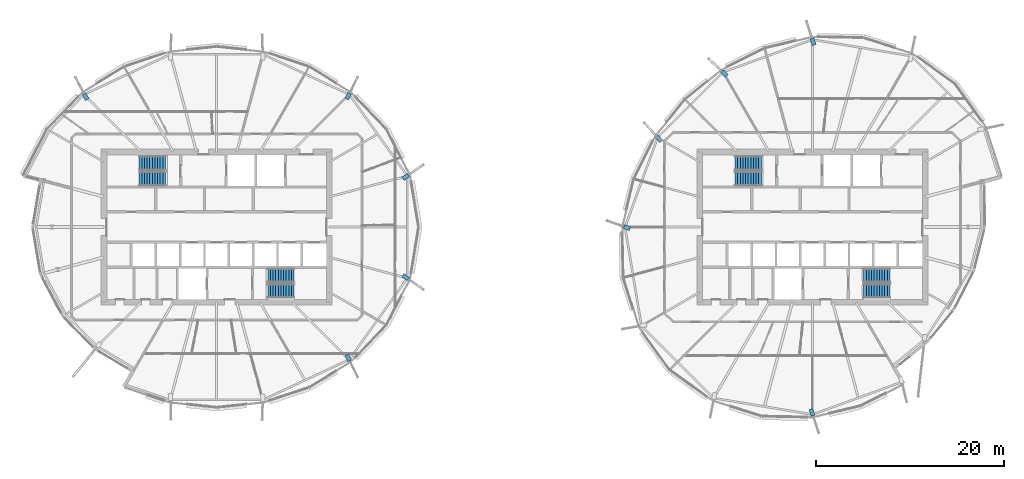
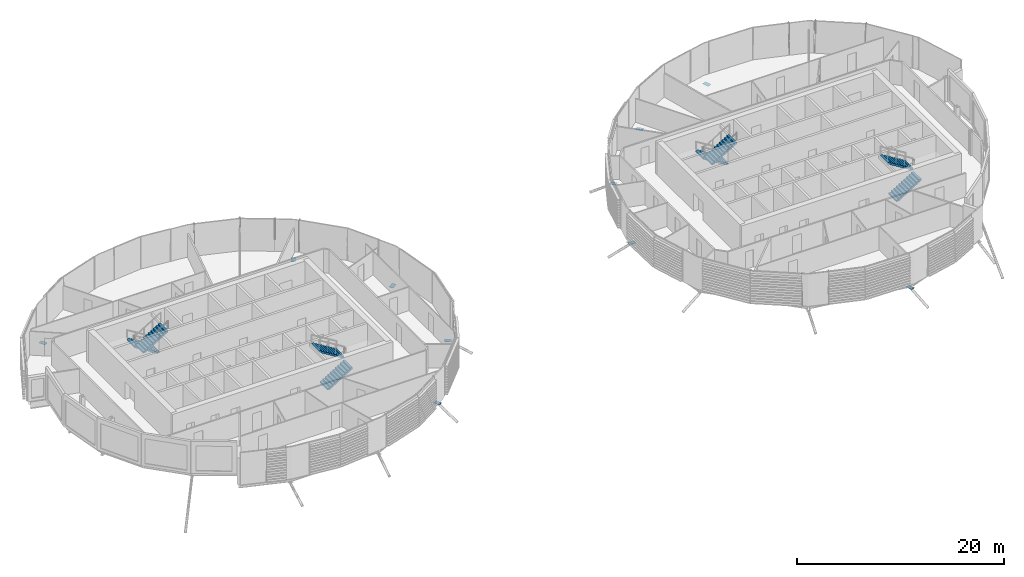
# One storey, part 24 of 35: 10 discrete accessories, 8 stair flights, 4 elements without a shape of their own.
"""IFC4 building model written with IfcOpenShell, lengths in metres."""

from ifc_helpers import new_model, si_unit, direction, frame, origin, origin_2d, place, context, subcontext, project, spatial, polyline, rectangle, outline, extrude, material, material_profile, profile_set, type_object, element, aggregate, save


model = new_model("IFC4")

# Units and contexts
model_context = context("Model", 3, precision=1e-05, world=origin(), true_north=direction((0.0, 1.0)))
body_context = subcontext(model_context, "Body", "Model", "MODEL_VIEW")
ifc_project = project(units=[si_unit("LENGTHUNIT", "METRE"), si_unit("AREAUNIT", "SQUARE_METRE"), si_unit("VOLUMEUNIT", "CUBIC_METRE"), si_unit("PLANEANGLEUNIT", "RADIAN"), si_unit("MASSUNIT", "GRAM", prefix="KILO")], contexts=[model_context])

# Site, building, storey
site_placement = place(None, origin())
site = spatial("IfcSite", under=ifc_project, at=site_placement, CompositionType="ELEMENT")
building_placement = place(site_placement, origin())
building = spatial("IfcBuilding", under=site, at=building_placement, Name="Rimbun Link Towers", CompositionType="ELEMENT")
storey_placement = place(building_placement, frame((0.0, 0.0, 196.89990234375)))
storey = spatial("IfcBuildingStorey", under=building, at=storey_placement, Name="L48", CompositionType="ELEMENT", Elevation=196.89990234375)

# Stair, stair flights
ifc_material_1 = material(Name="Concrete C40/50", Category="concrete")
stair_type = type_object("IfcStairType", Name="Exit stair 3800 rise", PredefinedType="HALF_TURN_STAIR", material=ifc_material_1)
stair_1_placement = place(storey_placement, origin())
stair_1 = element("IfcStair", 1, at=stair_1_placement, inside=storey, type_object=stair_type, Name="L48 EXIT STAIR A", PredefinedType="HALF_TURN_STAIR")
ifc_material_2 = material(Name="Concrete C40/50", Category="concrete")
stair_flight_type = type_object("IfcStairFlightType", Name="Exit stair flight 3800 rise", PredefinedType="STRAIGHT", material=ifc_material_2)
stair_flight_1_placement = place(storey_placement, frame((-37.199951171875, 6.800048828125, 0.0), z_axis=(0.0, 0.0, 1.0), x_axis=(-1.0, 0.0, 0.0)))
stair_flight_1 = element("IfcStairFlight", 2, at=stair_flight_1_placement, type_object=stair_flight_type, Name="ST1 flight 1", NumberOfRisers=11, NumberOfTreads=10, PredefinedType="STRAIGHT", RiserHeight=0.172727273, TreadLength=0.28, context=body_context, shape_type="SweptSolid", body=[
    extrude(outline(polyline([(0.0, 0.0), (0.0, 0.172607421875), (0.280029296875, 0.172607421875), (0.280029296875, 0.345458984375), (0.56005859375, 0.345458984375), (0.56005859375, 0.51806640625), (0.840087890625, 0.51806640625), (0.840087890625, 0.69091796875), (1.1201171875, 0.69091796875), (1.1201171875, 0.863525390625), (1.39990234375, 0.863525390625), (1.39990234375, 1.036376953125), (1.679931640625, 1.036376953125), (1.679931640625, 1.208984375), (1.9599609375, 1.208984375), (1.9599609375, 1.3818359375), (2.239990234375, 1.3818359375), (2.239990234375, 1.554443359375), (2.52001953125, 1.554443359375), (2.52001953125, 1.727294921875), (2.800048828125, 1.727294921875), (2.800048828125, 1.89990234375), (2.800048828125, 1.551025390625), (0.280029296875, 0.0), (0.0, 0.0)])), frame((0.0, 0.75, 0.0), z_axis=(0.0, -1.0, 0.0), x_axis=(1.0, 0.0, 0.0)), (0.0, 0.0, 1.0), 1.5),
])
stair_flight_2_placement = place(storey_placement, frame((-40.0, 5.14990234375, 1.900146484375), z_axis=(0.0, 0.0, 1.0), x_axis=(1.0, 0.0, 0.0)))
stair_flight_2 = element("IfcStairFlight", 3, at=stair_flight_2_placement, type_object=stair_flight_type, Name="ST1 flight 2", NumberOfRisers=11, NumberOfTreads=10, PredefinedType="STRAIGHT", RiserHeight=0.172727273, TreadLength=0.28, context=body_context, shape_type="SweptSolid", body=[
    extrude(outline(polyline([(0.0, 0.0), (0.0, 0.172607421875), (0.280029296875, 0.172607421875), (0.280029296875, 0.345458984375), (0.56005859375, 0.345458984375), (0.56005859375, 0.51806640625), (0.840087890625, 0.51806640625), (0.840087890625, 0.69091796875), (1.1201171875, 0.69091796875), (1.1201171875, 0.863525390625), (1.39990234375, 0.863525390625), (1.39990234375, 1.036376953125), (1.679931640625, 1.036376953125), (1.679931640625, 1.208984375), (1.9599609375, 1.208984375), (1.9599609375, 1.3818359375), (2.239990234375, 1.3818359375), (2.239990234375, 1.554443359375), (2.52001953125, 1.554443359375), (2.52001953125, 1.727294921875), (2.800048828125, 1.727294921875), (2.800048828125, 1.89990234375), (2.800048828125, 1.551025390625), (0.280029296875, 0.0), (0.0, 0.0)])), frame((0.0, 0.75, 0.0), z_axis=(0.0, -1.0, 0.0), x_axis=(1.0, 0.0, 0.0)), (0.0, 0.0, 1.0), 1.5),
])
aggregate(stair_1, [stair_flight_1, stair_flight_2])

stair_2_placement = place(storey_placement, origin())
stair_2 = element("IfcStair", 4, at=stair_2_placement, inside=storey, type_object=stair_type, Name="L48 EXIT STAIR B", PredefinedType="HALF_TURN_STAIR")
stair_flight_3_placement = place(storey_placement, frame((-26.300048828125, -6.800048828125, 0.0), z_axis=(0.0, 0.0, 1.0), x_axis=(1.0, 0.0, 0.0)))
stair_flight_3 = element("IfcStairFlight", 5, at=stair_flight_3_placement, type_object=stair_flight_type, Name="ST2 flight 1", NumberOfRisers=11, NumberOfTreads=10, PredefinedType="STRAIGHT", RiserHeight=0.172727273, TreadLength=0.28, context=body_context, shape_type="SweptSolid", body=[
    extrude(outline(polyline([(0.0, 0.0), (0.0, 0.172607421875), (0.280029296875, 0.172607421875), (0.280029296875, 0.345458984375), (0.56005859375, 0.345458984375), (0.56005859375, 0.51806640625), (0.840087890625, 0.51806640625), (0.840087890625, 0.69091796875), (1.1201171875, 0.69091796875), (1.1201171875, 0.863525390625), (1.39990234375, 0.863525390625), (1.39990234375, 1.036376953125), (1.679931640625, 1.036376953125), (1.679931640625, 1.208984375), (1.9599609375, 1.208984375), (1.9599609375, 1.3818359375), (2.239990234375, 1.3818359375), (2.239990234375, 1.554443359375), (2.52001953125, 1.554443359375), (2.52001953125, 1.727294921875), (2.800048828125, 1.727294921875), (2.800048828125, 1.89990234375), (2.800048828125, 1.551025390625), (0.280029296875, 0.0), (0.0, 0.0)])), frame((0.0, 0.75, 0.0), z_axis=(0.0, -1.0, 0.0), x_axis=(1.0, 0.0, 0.0)), (0.0, 0.0, 1.0), 1.5),
])
stair_flight_4_placement = place(storey_placement, frame((-23.5, -5.14990234375, 1.900146484375), z_axis=(0.0, 0.0, 1.0), x_axis=(-1.0, 0.0, 0.0)))
stair_flight_4 = element("IfcStairFlight", 6, at=stair_flight_4_placement, type_object=stair_flight_type, Name="ST2 flight 2", NumberOfRisers=11, NumberOfTreads=10, PredefinedType="STRAIGHT", RiserHeight=0.172727273, TreadLength=0.28, context=body_context, shape_type="SweptSolid", body=[
    extrude(outline(polyline([(0.0, 0.0), (0.0, 0.172607421875), (0.280029296875, 0.172607421875), (0.280029296875, 0.345458984375), (0.56005859375, 0.345458984375), (0.56005859375, 0.51806640625), (0.840087890625, 0.51806640625), (0.840087890625, 0.69091796875), (1.1201171875, 0.69091796875), (1.1201171875, 0.863525390625), (1.39990234375, 0.863525390625), (1.39990234375, 1.036376953125), (1.679931640625, 1.036376953125), (1.679931640625, 1.208984375), (1.9599609375, 1.208984375), (1.9599609375, 1.3818359375), (2.239990234375, 1.3818359375), (2.239990234375, 1.554443359375), (2.52001953125, 1.554443359375), (2.52001953125, 1.727294921875), (2.800048828125, 1.727294921875), (2.800048828125, 1.89990234375), (2.800048828125, 1.551025390625), (0.280029296875, 0.0), (0.0, 0.0)])), frame((0.0, 0.75, 0.0), z_axis=(0.0, -1.0, 0.0), x_axis=(1.0, 0.0, 0.0)), (0.0, 0.0, 1.0), 1.5),
])
aggregate(stair_2, [stair_flight_3, stair_flight_4])

stair_3_placement = place(storey_placement, origin())
stair_3 = element("IfcStair", 7, at=stair_3_placement, inside=storey, type_object=stair_type, Name="L48 EXIT STAIR A", PredefinedType="HALF_TURN_STAIR")
stair_flight_5_placement = place(storey_placement, frame((26.300048828125, 6.800048828125, 0.0), z_axis=(0.0, 0.0, 1.0), x_axis=(-1.0, 0.0, 0.0)))
stair_flight_5 = element("IfcStairFlight", 8, at=stair_flight_5_placement, type_object=stair_flight_type, Name="ST3 flight 1", NumberOfRisers=11, NumberOfTreads=10, PredefinedType="STRAIGHT", RiserHeight=0.172727273, TreadLength=0.28, context=body_context, shape_type="SweptSolid", body=[
    extrude(outline(polyline([(0.0, 0.0), (0.0, 0.172607421875), (0.280029296875, 0.172607421875), (0.280029296875, 0.345458984375), (0.56005859375, 0.345458984375), (0.56005859375, 0.51806640625), (0.840087890625, 0.51806640625), (0.840087890625, 0.69091796875), (1.1201171875, 0.69091796875), (1.1201171875, 0.863525390625), (1.39990234375, 0.863525390625), (1.39990234375, 1.036376953125), (1.679931640625, 1.036376953125), (1.679931640625, 1.208984375), (1.9599609375, 1.208984375), (1.9599609375, 1.3818359375), (2.239990234375, 1.3818359375), (2.239990234375, 1.554443359375), (2.52001953125, 1.554443359375), (2.52001953125, 1.727294921875), (2.800048828125, 1.727294921875), (2.800048828125, 1.89990234375), (2.800048828125, 1.551025390625), (0.280029296875, 0.0), (0.0, 0.0)])), frame((0.0, 0.75, 0.0), z_axis=(0.0, -1.0, 0.0), x_axis=(1.0, 0.0, 0.0)), (0.0, 0.0, 1.0), 1.5),
])
stair_flight_6_placement = place(storey_placement, frame((23.5, 5.14990234375, 1.900146484375), z_axis=(0.0, 0.0, 1.0), x_axis=(1.0, 0.0, 0.0)))
stair_flight_6 = element("IfcStairFlight", 9, at=stair_flight_6_placement, type_object=stair_flight_type, Name="ST3 flight 2", NumberOfRisers=11, NumberOfTreads=10, PredefinedType="STRAIGHT", RiserHeight=0.172727273, TreadLength=0.28, context=body_context, shape_type="SweptSolid", body=[
    extrude(outline(polyline([(0.0, 0.0), (0.0, 0.172607421875), (0.280029296875, 0.172607421875), (0.280029296875, 0.345458984375), (0.56005859375, 0.345458984375), (0.56005859375, 0.51806640625), (0.840087890625, 0.51806640625), (0.840087890625, 0.69091796875), (1.1201171875, 0.69091796875), (1.1201171875, 0.863525390625), (1.39990234375, 0.863525390625), (1.39990234375, 1.036376953125), (1.679931640625, 1.036376953125), (1.679931640625, 1.208984375), (1.9599609375, 1.208984375), (1.9599609375, 1.3818359375), (2.239990234375, 1.3818359375), (2.239990234375, 1.554443359375), (2.52001953125, 1.554443359375), (2.52001953125, 1.727294921875), (2.800048828125, 1.727294921875), (2.800048828125, 1.89990234375), (2.800048828125, 1.551025390625), (0.280029296875, 0.0), (0.0, 0.0)])), frame((0.0, 0.75, 0.0), z_axis=(0.0, -1.0, 0.0), x_axis=(1.0, 0.0, 0.0)), (0.0, 0.0, 1.0), 1.5),
])
aggregate(stair_3, [stair_flight_5, stair_flight_6])

stair_4_placement = place(storey_placement, origin())
stair_4 = element("IfcStair", 10, at=stair_4_placement, inside=storey, type_object=stair_type, Name="L48 EXIT STAIR B", PredefinedType="HALF_TURN_STAIR")
stair_flight_7_placement = place(storey_placement, frame((37.199951171875, -6.800048828125, 0.0), z_axis=(0.0, 0.0, 1.0), x_axis=(1.0, 0.0, 0.0)))
stair_flight_7 = element("IfcStairFlight", 11, at=stair_flight_7_placement, type_object=stair_flight_type, Name="ST4 flight 1", NumberOfRisers=11, NumberOfTreads=10, PredefinedType="STRAIGHT", RiserHeight=0.172727273, TreadLength=0.28, context=body_context, shape_type="SweptSolid", body=[
    extrude(outline(polyline([(0.0, 0.0), (0.0, 0.172607421875), (0.280029296875, 0.172607421875), (0.280029296875, 0.345458984375), (0.56005859375, 0.345458984375), (0.56005859375, 0.51806640625), (0.840087890625, 0.51806640625), (0.840087890625, 0.69091796875), (1.1201171875, 0.69091796875), (1.1201171875, 0.863525390625), (1.39990234375, 0.863525390625), (1.39990234375, 1.036376953125), (1.679931640625, 1.036376953125), (1.679931640625, 1.208984375), (1.9599609375, 1.208984375), (1.9599609375, 1.3818359375), (2.239990234375, 1.3818359375), (2.239990234375, 1.554443359375), (2.52001953125, 1.554443359375), (2.52001953125, 1.727294921875), (2.800048828125, 1.727294921875), (2.800048828125, 1.89990234375), (2.800048828125, 1.551025390625), (0.280029296875, 0.0), (0.0, 0.0)])), frame((0.0, 0.75, 0.0), z_axis=(0.0, -1.0, 0.0), x_axis=(1.0, 0.0, 0.0)), (0.0, 0.0, 1.0), 1.5),
])
stair_flight_8_placement = place(storey_placement, frame((40.0, -5.14990234375, 1.900146484375), z_axis=(0.0, 0.0, 1.0), x_axis=(-1.0, 0.0, 0.0)))
stair_flight_8 = element("IfcStairFlight", 12, at=stair_flight_8_placement, type_object=stair_flight_type, Name="ST4 flight 2", NumberOfRisers=11, NumberOfTreads=10, PredefinedType="STRAIGHT", RiserHeight=0.172727273, TreadLength=0.28, context=body_context, shape_type="SweptSolid", body=[
    extrude(outline(polyline([(0.0, 0.0), (0.0, 0.172607421875), (0.280029296875, 0.172607421875), (0.280029296875, 0.345458984375), (0.56005859375, 0.345458984375), (0.56005859375, 0.51806640625), (0.840087890625, 0.51806640625), (0.840087890625, 0.69091796875), (1.1201171875, 0.69091796875), (1.1201171875, 0.863525390625), (1.39990234375, 0.863525390625), (1.39990234375, 1.036376953125), (1.679931640625, 1.036376953125), (1.679931640625, 1.208984375), (1.9599609375, 1.208984375), (1.9599609375, 1.3818359375), (2.239990234375, 1.3818359375), (2.239990234375, 1.554443359375), (2.52001953125, 1.554443359375), (2.52001953125, 1.727294921875), (2.800048828125, 1.727294921875), (2.800048828125, 1.89990234375), (2.800048828125, 1.551025390625), (0.280029296875, 0.0), (0.0, 0.0)])), frame((0.0, 0.75, 0.0), z_axis=(0.0, -1.0, 0.0), x_axis=(1.0, 0.0, 0.0)), (0.0, 0.0, 1.0), 1.5),
])
aggregate(stair_4, [stair_flight_7, stair_flight_8])

# Discrete accessories
ifc_material_3 = material(Name="Steel S355J2H", Category="steel")
ifc_material_profile = material_profile(ifc_material_3, rectangle(XDim=0.43310546875, YDim=0.43310546875, at=origin_2d()), Name="PL 433x433")
ifc_profile_set = profile_set([ifc_material_profile], Name="Steel S355J2H")
discrete_accessory_type = type_object("IfcDiscreteAccessoryType", Name="Link head end plate 433X20", PredefinedType="BRACKET", material=ifc_profile_set)
discrete_accessory_1_placement = place(storey_placement, frame((0.0, 0.0, -0.623291015625)))
element("IfcDiscreteAccessory", 13, at=discrete_accessory_1_placement, inside=storey, type_object=discrete_accessory_type, Name="Link head end plate T1 L48 01", PredefinedType="BRACKET", context=body_context, shape_type="SweptSolid", body=[
    extrude(outline(polyline([(-11.770751953125, 4.961181640625), (-11.194091796875, 5.361328125), (-11.44091796875, 5.717041015625), (-12.017578125, 5.317138671875), (-11.770751953125, 4.961181640625)])), origin(), (0.0, 0.0, 1.0), 0.02001953125),
])
discrete_accessory_2_placement = place(storey_placement, frame((0.0, 0.0, -0.623291015625)))
element("IfcDiscreteAccessory", 14, at=discrete_accessory_2_placement, inside=storey, type_object=discrete_accessory_type, Name="Link head end plate T1 L48 03", PredefinedType="BRACKET", context=body_context, shape_type="SweptSolid", body=[
    extrude(outline(polyline([(-17.69140625, 13.533447265625), (-17.38330078125, 14.160888671875), (-17.77197265625, 14.351806640625), (-18.080078125, 13.724365234375), (-17.69140625, 13.533447265625)])), origin(), (0.0, 0.0, 1.0), 0.02001953125),
])
discrete_accessory_3_placement = place(storey_placement, frame((0.0, 0.0, -0.623291015625)))
element("IfcDiscreteAccessory", 15, at=discrete_accessory_3_placement, inside=storey, type_object=discrete_accessory_type, Name="Link head end plate T1 L48 09", PredefinedType="BRACKET", context=body_context, shape_type="SweptSolid", body=[
    extrude(outline(polyline([(-45.3515625, 13.686279296875), (-45.6728515625, 14.2919921875), (-46.055419921875, 14.089111328125), (-45.734130859375, 13.4833984375), (-45.3515625, 13.686279296875)])), origin(), (0.0, 0.0, 1.0), 0.02001953125),
])
discrete_accessory_4_placement = place(storey_placement, frame((0.0, 0.0, -0.623291015625)))
element("IfcDiscreteAccessory", 16, at=discrete_accessory_4_placement, inside=storey, type_object=discrete_accessory_type, Name="Link head end plate T1 L48 21", PredefinedType="BRACKET", context=body_context, shape_type="SweptSolid", body=[
    extrude(outline(polyline([(-18.080078125, -13.724365234375), (-17.77197265625, -14.351806640625), (-17.38330078125, -14.160888671875), (-17.69140625, -13.533447265625), (-18.080078125, -13.724365234375)])), origin(), (0.0, 0.0, 1.0), 0.02001953125),
])
discrete_accessory_5_placement = place(storey_placement, frame((0.0, 0.0, -0.623291015625)))
element("IfcDiscreteAccessory", 17, at=discrete_accessory_5_placement, inside=storey, type_object=discrete_accessory_type, Name="Link head end plate T1 L48 23", PredefinedType="BRACKET", context=body_context, shape_type="SweptSolid", body=[
    extrude(outline(polyline([(-12.017578125, -5.317138671875), (-11.44091796875, -5.717041015625), (-11.194091796875, -5.361328125), (-11.770751953125, -4.961181640625), (-12.017578125, -5.317138671875)])), origin(), (0.0, 0.0, 1.0), 0.02001953125),
])
discrete_accessory_6_placement = place(storey_placement, frame((0.0, 0.0, -0.7724609375)))
element("IfcDiscreteAccessory", 18, at=discrete_accessory_6_placement, inside=storey, type_object=discrete_accessory_type, Name="Link head end plate T2 L48 03", PredefinedType="BRACKET", context=body_context, shape_type="SweptSolid", body=[
    extrude(outline(polyline([(32.121826171875, 19.4833984375), (31.8994140625, 20.169189453125), (31.487548828125, 20.035400390625), (31.710205078125, 19.349609375), (32.121826171875, 19.4833984375)])), origin(), (0.0, 0.0, 1.0), 0.02001953125),
])
discrete_accessory_7_placement = place(storey_placement, frame((0.0, 0.0, -0.702880859375)))
element("IfcDiscreteAccessory", 19, at=discrete_accessory_7_placement, inside=storey, type_object=discrete_accessory_type, Name="Link head end plate T2 L48 05", PredefinedType="BRACKET", context=body_context, shape_type="SweptSolid", body=[
    extrude(outline(polyline([(22.76025390625, 16.2724609375), (22.26025390625, 16.747314453125), (21.962158203125, 16.43310546875), (22.462158203125, 15.95849609375), (22.76025390625, 16.2724609375)])), origin(), (0.0, 0.0, 1.0), 0.019775390625),
])
discrete_accessory_8_placement = place(storey_placement, frame((0.0, 0.0, -0.473388671875)))
element("IfcDiscreteAccessory", 20, at=discrete_accessory_8_placement, inside=storey, type_object=discrete_accessory_type, Name="Link head end plate T2 L48 07", PredefinedType="BRACKET", context=body_context, shape_type="SweptSolid", body=[
    extrude(outline(polyline([(15.767578125, 9.29736328125), (15.322265625, 9.7880859375), (15.001708984375, 9.4970703125), (15.447265625, 9.00634765625), (15.767578125, 9.29736328125)])), origin(), (0.0, 0.0, 1.0), 0.02001953125),
])
discrete_accessory_9_placement = place(storey_placement, frame((0.0, 0.0, -0.576416015625)))
element("IfcDiscreteAccessory", 21, at=discrete_accessory_9_placement, inside=storey, type_object=discrete_accessory_type, Name="Link head end plate T2 L48 09", PredefinedType="BRACKET", context=body_context, shape_type="SweptSolid", body=[
    extrude(outline(polyline([(12.373291015625, 0.037841796875), (11.718994140625, 0.264892578125), (11.576904296875, -0.14404296875), (12.2314453125, -0.37109375), (12.373291015625, 0.037841796875)])), origin(), (0.0, 0.0, 1.0), 0.02001953125),
])
discrete_accessory_10_placement = place(storey_placement, frame((0.0, 0.0, -0.7724609375)))
element("IfcDiscreteAccessory", 22, at=discrete_accessory_10_placement, inside=storey, type_object=discrete_accessory_type, Name="Link head end plate T2 L48 15", PredefinedType="BRACKET", context=body_context, shape_type="SweptSolid", body=[
    extrude(outline(polyline([(31.378173828125, -19.4833984375), (31.6005859375, -20.169189453125), (32.012451171875, -20.035400390625), (31.789794921875, -19.349609375), (31.378173828125, -19.4833984375)])), origin(), (0.0, 0.0, 1.0), 0.02001953125),
])

save(model, "model.ifc")
